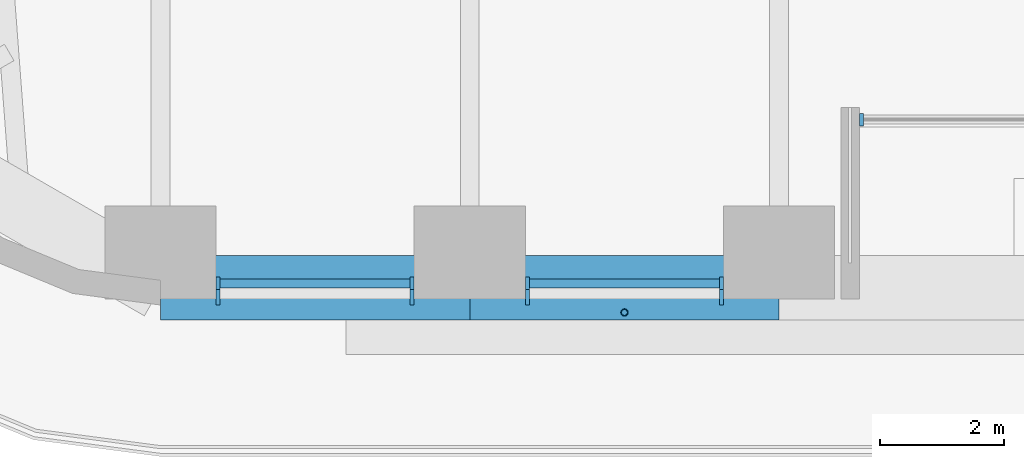
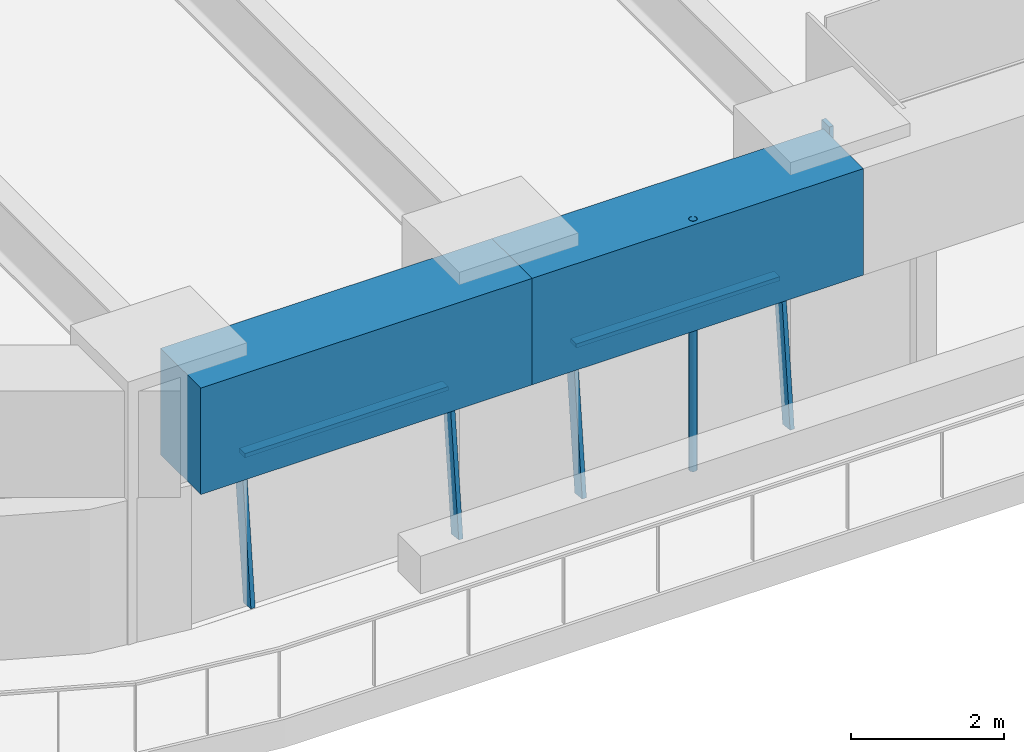
# One storey, part 2 of 24: 8 members, 2 beams, 3 elements without a shape of their own.
"""IFC4 building model written with IfcOpenShell, lengths in metres."""

from ifc_helpers import new_model, si_unit, direction, frame, origin, origin_2d, place, context, subcontext, project, spatial, rectangle, hollow_circle, extrude, material, material_profile, profile_set, type_object, element, aggregate, save


model = new_model("IFC4")

# Units and contexts
model_context = context("Model", 3, precision=1e-05, world=origin(), true_north=direction((0.0, 1.0)))
body_context = subcontext(model_context, "Body", "Model", "MODEL_VIEW")
ifc_project = project(units=[si_unit("LENGTHUNIT", "METRE"), si_unit("AREAUNIT", "SQUARE_METRE"), si_unit("VOLUMEUNIT", "CUBIC_METRE"), si_unit("PLANEANGLEUNIT", "RADIAN"), si_unit("MASSUNIT", "GRAM", prefix="KILO")], contexts=[model_context])

# Site, building, storey
site_placement = place(None, origin())
site = spatial("IfcSite", under=ifc_project, at=site_placement, CompositionType="ELEMENT")
building_placement = place(site_placement, origin())
building = spatial("IfcBuilding", under=site, at=building_placement, Name="Tarfa Lantern Tower", CompositionType="ELEMENT")
storey_placement = place(building_placement, frame((0.0, 0.0, 132.10009765625)))
storey = spatial("IfcBuildingStorey", under=building, at=storey_placement, Name="L29", CompositionType="ELEMENT", Elevation=132.10009765625)

# Curtain wall, members
ifc_material_1 = material(Name="Aluminium framed curtain wall", Category="aluminium")
curtain_wall_type_1 = type_object("IfcCurtainWallType", Name="CW2 CANTED GLAZING MID ZONE 2300", PredefinedType="USERDEFINED", material=ifc_material_1)
curtain_wall_1_placement = place(storey_placement, origin())
curtain_wall_1 = element("IfcCurtainWall", 1, at=curtain_wall_1_placement, inside=storey, type_object=curtain_wall_type_1, Name="CW2 S L29", ObjectType="CURTAIN WALL", PredefinedType="USERDEFINED")
ifc_material_2 = material(Name="Aluminium mullion", Category="aluminium")
ifc_material_profile_1 = material_profile(ifc_material_2, rectangle(XDim=0.06494140625, YDim=0.199951171875, at=origin_2d()), Name="AL MULLION 65x200")
ifc_profile_set_1 = profile_set([ifc_material_profile_1], Name="Aluminium mullion")
member_type_1 = type_object("IfcMemberType", Name="CWM1 MULLION 65x200", PredefinedType="MULLION", material=ifc_profile_set_1)
member_1_placement = place(storey_placement, frame((-14.07861328125, -31.39990234375, 0.0), z_axis=(0.0, 0.108068250598, 0.994143477177), x_axis=(-1.0, 0.0, 0.0)))
member_1 = element("IfcMember", 2, at=member_1_placement, type_object=member_type_1, Name="CW2 mullion 1", PredefinedType="MULLION", context=body_context, shape_type="SweptSolid", body=[
    extrude(rectangle(XDim=0.06494140625, YDim=0.199951171875, at=origin_2d()), origin(), (0.0, 0.0, 1.0), 2.313232421875),
])
member_2_placement = place(storey_placement, frame((-10.93994140625, -31.39990234375, 0.0), z_axis=(0.0, 0.108068250598, 0.994143477177), x_axis=(-1.0, 0.0, 0.0)))
member_2 = element("IfcMember", 3, at=member_2_placement, type_object=member_type_1, Name="CW2 mullion 2", PredefinedType="MULLION", context=body_context, shape_type="SweptSolid", body=[
    extrude(rectangle(XDim=0.06494140625, YDim=0.199951171875, at=origin_2d()), origin(), (0.0, 0.0, 1.0), 2.313232421875),
])

curtain_wall_2_placement = place(storey_placement, origin())
curtain_wall_2 = element("IfcCurtainWall", 4, at=curtain_wall_2_placement, inside=storey, type_object=curtain_wall_type_1, Name="CW2 S L29", ObjectType="CURTAIN WALL", PredefinedType="USERDEFINED")
member_3_placement = place(storey_placement, frame((-9.074951171875, -31.39990234375, 0.0), z_axis=(0.0, 0.108068250598, 0.994143477177), x_axis=(-1.0, 0.0, 0.0)))
member_3 = element("IfcMember", 5, at=member_3_placement, type_object=member_type_1, Name="CW2 mullion 1", PredefinedType="MULLION", context=body_context, shape_type="SweptSolid", body=[
    extrude(rectangle(XDim=0.06494140625, YDim=0.199951171875, at=origin_2d()), origin(), (0.0, 0.0, 1.0), 2.313232421875),
])
member_4_placement = place(storey_placement, frame((-5.936279296875, -31.39990234375, 0.0), z_axis=(0.0, 0.108068250598, 0.994143477177), x_axis=(-1.0, 0.0, 0.0)))
member_4 = element("IfcMember", 6, at=member_4_placement, type_object=member_type_1, Name="CW2 mullion 2", PredefinedType="MULLION", context=body_context, shape_type="SweptSolid", body=[
    extrude(rectangle(XDim=0.06494140625, YDim=0.199951171875, at=origin_2d()), origin(), (0.0, 0.0, 1.0), 2.313232421875),
])

# Curtain wall, member
curtain_wall_type_2 = type_object("IfcCurtainWallType", Name="CW10 LOGGIA GLAZING 2300", PredefinedType="USERDEFINED", material=ifc_material_1)
curtain_wall_3_placement = place(storey_placement, origin())
curtain_wall_3 = element("IfcCurtainWall", 7, at=curtain_wall_3_placement, inside=storey, type_object=curtain_wall_type_2, Name="CW10 SL L29", ObjectType="CURTAIN WALL", PredefinedType="USERDEFINED")
member_5_placement = place(storey_placement, frame((-3.671142578125, -28.5, 0.0), z_axis=(0.0, 0.0, 1.0), x_axis=(1.0, 0.0, 0.0)))
member_5 = element("IfcMember", 8, at=member_5_placement, type_object=member_type_1, Name="CW10 mullion 1", PredefinedType="MULLION", context=body_context, shape_type="SweptSolid", body=[
    extrude(rectangle(XDim=0.06494140625, YDim=0.199951171875, at=origin_2d()), origin(), (0.0, 0.0, 1.0), 2.2998046875),
])
aggregate(curtain_wall_3, [member_5])

# Member
ifc_material_3 = material(Name="Aluminium transom", Category="aluminium")
ifc_material_profile_2 = material_profile(ifc_material_3, rectangle(XDim=0.14990234375, YDim=0.06494140625, at=origin_2d()), Name="AL TRANSOM 150x65")
ifc_profile_set_2 = profile_set([ifc_material_profile_2], Name="Aluminium transom")
member_type_2 = type_object("IfcMemberType", Name="CWT1 TRANSOM 150x65", PredefinedType="USERDEFINED", material=ifc_profile_set_2)
member_6_placement = place(storey_placement, frame((-14.046142578125, -31.153564453125, 2.267333984375), z_axis=(1.0, 0.0, 0.0), x_axis=(0.0, 1.0, 0.0)))
member_6 = element("IfcMember", 9, at=member_6_placement, type_object=member_type_2, Name="CW2 transom 1.2", ObjectType="TRANSOM", PredefinedType="USERDEFINED", context=body_context, shape_type="SweptSolid", body=[
    extrude(rectangle(XDim=0.14990234375, YDim=0.06494140625, at=origin_2d()), origin(), (0.0, 0.0, 1.0), 3.07373046875),
])

aggregate(curtain_wall_1, [member_1, member_2, member_6])

member_7_placement = place(storey_placement, frame((-9.04248046875, -31.153564453125, 2.267333984375), z_axis=(1.0, 0.0, 0.0), x_axis=(0.0, 1.0, 0.0)))
member_7 = element("IfcMember", 10, at=member_7_placement, type_object=member_type_2, Name="CW2 transom 1.2", ObjectType="TRANSOM", PredefinedType="USERDEFINED", context=body_context, shape_type="SweptSolid", body=[
    extrude(rectangle(XDim=0.14990234375, YDim=0.06494140625, at=origin_2d()), origin(), (0.0, 0.0, 1.0), 3.07373046875),
])

aggregate(curtain_wall_2, [member_3, member_4, member_7])

# Beams
ifc_material_4 = material(Name="Concrete C80/95", Category="concrete")
ifc_material_profile_3 = material_profile(ifc_material_4, rectangle(XDim=1.050048828125, YDim=1.699951171875, at=origin_2d()), Name="RC 1050x1700")
ifc_profile_set_3 = profile_set([ifc_material_profile_3], Name="Concrete C80/95")
beam_type = type_object("IfcBeamType", Name="RB2 RC 1050x1700", PredefinedType="BEAM", material=ifc_profile_set_3)
for number, where, z_axis, x_axis, name in (
    (11, (-15.010986328125, -31.219970703125, 3.14990234375), (1.0, 0.0, 0.0), (0.0, 1.0, 0.0), "Edge beam S0"),
    (12, (-10.00732421875, -31.219970703125, 3.14990234375), (1.0, 0.0, 0.0), (0.0, 1.0, 0.0), "Edge beam S1"),
):
    element("IfcBeam", number, at=place(storey_placement, frame(where, z_axis=z_axis, x_axis=x_axis)), inside=storey, type_object=beam_type, Name=name, PredefinedType="BEAM", context=body_context, shape_type="SweptSolid", body=[
        extrude(rectangle(XDim=1.050048828125, YDim=1.699951171875, at=origin_2d()), origin(), (0.0, 0.0, 1.0), 5.003662109375),
    ])

# Member
ifc_material_5 = material(Name="Steel S355", Category="steel")
ifc_material_profile_4 = material_profile(ifc_material_5, hollow_circle(Radius=0.05712890625, WallThickness=0.00634765625, at=origin_2d()), Name="CHS114.3x6.3")
ifc_profile_set_4 = profile_set([ifc_material_profile_4], Name="Steel S355")
member_type_3 = type_object("IfcMemberType", Name="TR1 GREEN WALL TRELLIS CHS114.3x6.3", PredefinedType="USERDEFINED", material=ifc_profile_set_4)
member_8_placement = place(storey_placement, frame((-7.505615234375, -31.6201171875, 0.0), z_axis=(0.0, 0.0, 1.0), x_axis=(1.0, 0.0, 0.0)))
element("IfcMember", 13, at=member_8_placement, inside=storey, type_object=member_type_3, Name="Trellis post S 1", ObjectType="TRELLIS", PredefinedType="USERDEFINED", context=body_context, shape_type="SweptSolid", body=[
    extrude(hollow_circle(Radius=0.05712890625, WallThickness=0.00634765625, at=origin_2d()), origin(), (0.0, 0.0, 1.0), 4.0),
])

save(model, "model.ifc")
